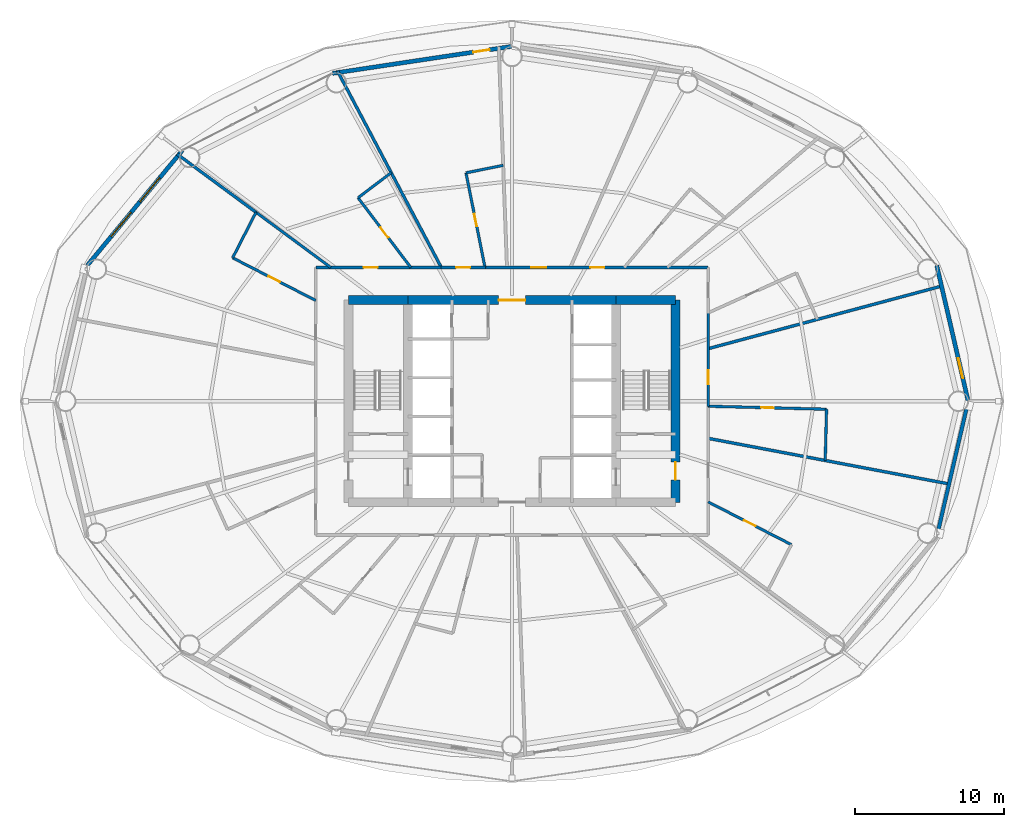
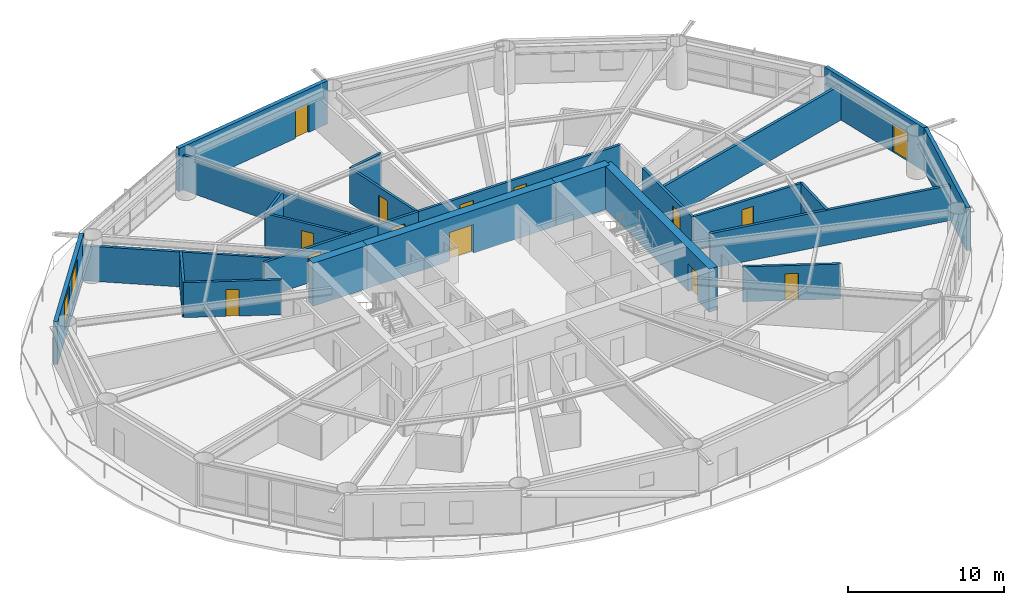
# One storey, part 22 of 26: 26 walls, 14 doors, 2 windows, 16 openings.
"""IFC4 building model written with IfcOpenShell, lengths in metres."""

from ifc_helpers import new_model, si_unit, direction, frame, frame_2d, origin, place, context, subcontext, project, spatial, rectangle, extrude, material, layer, layer_set, type_object, element, fill, save


model = new_model("IFC4")

# Units and contexts
model_context = context("Model", 3, precision=1e-05, world=origin(), true_north=direction((0.0, 1.0)))
body_context = subcontext(model_context, "Body", "Model", "MODEL_VIEW")
ifc_project = project(units=[si_unit("LENGTHUNIT", "METRE"), si_unit("AREAUNIT", "SQUARE_METRE"), si_unit("VOLUMEUNIT", "CUBIC_METRE"), si_unit("PLANEANGLEUNIT", "RADIAN"), si_unit("MASSUNIT", "GRAM", prefix="KILO")], contexts=[model_context])

# Site, building, storey
site_placement = place(None, origin())
site = spatial("IfcSite", under=ifc_project, at=site_placement, CompositionType="ELEMENT")
building_placement = place(site_placement, origin())
building = spatial("IfcBuilding", under=site, at=building_placement, Name="Sarneth Arch Tower", CompositionType="ELEMENT")
storey_placement = place(building_placement, frame((0.0, 0.0, 42.60009765625)))
storey = spatial("IfcBuildingStorey", under=building, at=storey_placement, Name="L09", CompositionType="ELEMENT", Elevation=42.60009765625)

# Wall
ifc_material_1 = material(Name="Concrete C60/75", Category="concrete")
ifc_layer_1 = layer(ifc_material_1, 0.60009765625)
ifc_layer_set_1 = layer_set([ifc_layer_1], Name="Concrete C60/75")
wall_type_1 = type_object("IfcWallType", Name="WALL-CORE-600", PredefinedType="SHEAR", material=ifc_layer_set_1)
wall_1_placement = place(storey_placement, frame((37.0, 48.800048828125, 0.0), z_axis=(0.0, 0.0, 1.0), x_axis=(1.0, 0.0, 0.0)))
element("IfcWall", 1, at=wall_1_placement, inside=storey, type_object=wall_type_1, Name="L09 Core shear wall N-W", PredefinedType="SHEAR", context=body_context, shape_type="SweptSolid", body=[
    extrude(rectangle(XDim=4.0, YDim=0.60009765625, at=frame_2d((2.0, 0.0))), origin(), (0.0, 0.0, 1.0), 3.3798828125),
])

# Wall, opening, door
wall_2_placement = place(storey_placement, frame((41.0, 48.800048828125, 0.0), z_axis=(0.0, 0.0, 1.0), x_axis=(1.0, 0.0, 0.0)))
wall_2 = element("IfcWall", 2, at=wall_2_placement, inside=storey, type_object=wall_type_1, Name="L09 Core shear wall N-M", PredefinedType="SHEAR", context=body_context, shape_type="SweptSolid", body=[
    extrude(rectangle(XDim=14.0, YDim=0.60009765625, at=frame_2d((7.0, 0.0))), origin(), (0.0, 0.0, 1.0), 3.3798828125),
])
opening_1_placement = place(wall_2_placement, frame((6.10009765625, 0.0, 0.0)))
opening_1 = element("IfcOpeningElement", 3, at=opening_1_placement, cuts=wall_2, Name="Opening FD-01", PredefinedType="OPENING", context=body_context, shape_type="SweptSolid", body=[
    extrude(rectangle(XDim=1.800048828125, YDim=2.25, at=frame_2d((0.89990234375, 1.125))), frame((0.0, 0.31005859375, 0.0), z_axis=(0.0, -1.0, 0.0), x_axis=(1.0, 0.0, 0.0)), (0.0, 0.0, 1.0), 0.6201171875),
])
ifc_material_2 = material(Name="Galvanised Steel S275 fire door set", Category="steel")
door_type_1 = type_object("IfcDoorType", Name="DR-FD90-1800", OperationType="DOUBLE_DOOR_SINGLE_SWING", PredefinedType="DOOR", material=ifc_material_2)
door_1_placement = place(opening_1_placement, origin())
door_1 = element("IfcDoor", 4, at=door_1_placement, inside=storey, type_object=door_type_1, Name="L09 Central lift lobby north door", OperationType="DOUBLE_DOOR_SINGLE_SWING", OverallHeight=2.25, OverallWidth=1.800048828125, PredefinedType="DOOR", context=body_context, shape_type="SweptSolid", body=[
    extrude(rectangle(XDim=1.800048828125, YDim=2.25, at=frame_2d((0.89990234375, 1.125))), frame((0.0, 0.02490234375, 0.0), z_axis=(0.0, -1.0, 0.0), x_axis=(1.0, 0.0, 0.0)), (0.0, 0.0, 1.0), 0.050048828125),
])
fill(opening_1, door_1)

# Wall
wall_3_placement = place(storey_placement, frame((55.0, 48.800048828125, 0.0), z_axis=(0.0, 0.0, 1.0), x_axis=(1.0, 0.0, 0.0)))
element("IfcWall", 5, at=wall_3_placement, inside=storey, type_object=wall_type_1, Name="L09 Core shear wall N-E", PredefinedType="SHEAR", context=body_context, shape_type="SweptSolid", body=[
    extrude(rectangle(XDim=4.0, YDim=0.60009765625, at=frame_2d((2.0, 0.0))), origin(), (0.0, 0.0, 1.0), 3.3798828125),
])

# Wall, opening, door
wall_4_placement = place(storey_placement, frame((59.0, 35.199951171875, 0.0), z_axis=(0.0, 0.0, 1.0), x_axis=(0.0, 1.0, 0.0)))
wall_4 = element("IfcWall", 6, at=wall_4_placement, inside=storey, type_object=wall_type_1, Name="L09 Core shear wall E", PredefinedType="SHEAR", context=body_context, shape_type="SweptSolid", body=[
    extrude(rectangle(XDim=13.60009765625, YDim=0.60009765625, at=frame_2d((6.800048828125, 0.0))), origin(), (0.0, 0.0, 1.0), 3.3798828125),
])
opening_2_placement = place(wall_4_placement, frame((1.5, 0.0, 0.0)))
opening_2 = element("IfcOpeningElement", 7, at=opening_2_placement, cuts=wall_4, Name="Opening FD-02", PredefinedType="OPENING", context=body_context, shape_type="SweptSolid", body=[
    extrude(rectangle(XDim=1.199951171875, YDim=2.14990234375, at=frame_2d((0.60009765625, 1.074951171875))), frame((0.0, 0.31005859375, 0.0), z_axis=(0.0, -1.0, 0.0), x_axis=(1.0, 0.0, 0.0)), (0.0, 0.0, 1.0), 0.6201171875),
])
ifc_material_3 = material(Name="Galvanised Steel S275 fire door set", Category="steel")
door_type_2 = type_object("IfcDoorType", Name="DR-FD90-1200", OperationType="SINGLE_SWING_LEFT", PredefinedType="DOOR", material=ifc_material_3)
door_2_placement = place(opening_2_placement, origin())
door_2 = element("IfcDoor", 8, at=door_2_placement, inside=storey, type_object=door_type_2, Name="L09 Firefighting lobby 2 exit door", OperationType="SINGLE_SWING_RIGHT", OverallHeight=2.14990234375, OverallWidth=1.199951171875, PredefinedType="DOOR", context=body_context, shape_type="SweptSolid", body=[
    extrude(rectangle(XDim=1.199951171875, YDim=2.14990234375, at=frame_2d((0.60009765625, 1.074951171875))), frame((0.0, 0.02490234375, 0.0), z_axis=(0.0, -1.0, 0.0), x_axis=(1.0, 0.0, 0.0)), (0.0, 0.0, 1.0), 0.050048828125),
])
fill(opening_2, door_2)

ifc_material_4 = material(Name="Double steel-stud corridor fire wall", Category="steel")
ifc_layer_2 = layer(ifc_material_4, 0.18994140625)
ifc_layer_set_2 = layer_set([ifc_layer_2], Name="Double steel-stud corridor fire wall")
wall_type_2 = type_object("IfcWallType", Name="WALL-CORR-190", PredefinedType="PARTITIONING", material=ifc_layer_set_2)
wall_5_placement = place(storey_placement, frame((34.800048828125, 51.0, 0.0), z_axis=(0.0, 0.0, 1.0), x_axis=(1.0, 0.0, 0.0)))
wall_5 = element("IfcWall", 9, at=wall_5_placement, inside=storey, type_object=wall_type_2, Name="L09 Interior partition W-L09-TP-009", PredefinedType="PARTITIONING", context=body_context, shape_type="SweptSolid", body=[
    extrude(rectangle(XDim=8.4794921875, YDim=0.18994140625, at=frame_2d((4.23974609375, 0.0))), origin(), (0.0, 0.0, 1.0), 2.739990234375),
])
opening_3_placement = place(wall_5_placement, frame((3.2158203125, 0.0, 0.0)))
opening_3 = element("IfcOpeningElement", 10, at=opening_3_placement, cuts=wall_5, Name="Opening FD-09", PredefinedType="OPENING", context=body_context, shape_type="SweptSolid", body=[
    extrude(rectangle(XDim=0.949951171875, YDim=2.14990234375, at=frame_2d((0.47509765625, 1.074951171875))), frame((0.0, 0.10498046875, 0.0), z_axis=(0.0, -1.0, 0.0), x_axis=(1.0, 0.0, 0.0)), (0.0, 0.0, 1.0), 0.2099609375),
])
ifc_material_5 = material(Name="Hardwood timber hotel entrance fire door", Category="wood")
door_type_3 = type_object("IfcDoorType", Name="DR-FD60-950", OperationType="SINGLE_SWING_RIGHT", PredefinedType="DOOR", material=ifc_material_5)
door_3_placement = place(opening_3_placement, origin())
door_3 = element("IfcDoor", 11, at=door_3_placement, inside=storey, type_object=door_type_3, Name="L09 Interior door DR-L09-KEY-05", OperationType="SINGLE_SWING_LEFT", OverallHeight=2.14990234375, OverallWidth=0.949951171875, PredefinedType="DOOR", context=body_context, shape_type="SweptSolid", body=[
    extrude(rectangle(XDim=0.949951171875, YDim=2.14990234375, at=frame_2d((0.47509765625, 1.074951171875))), frame((0.0, 0.02490234375, 0.0), z_axis=(0.0, -1.0, 0.0), x_axis=(1.0, 0.0, 0.0)), (0.0, 0.0, 1.0), 0.050048828125),
])
fill(opening_3, door_3)

# Wall, openings, doors
wall_6_placement = place(storey_placement, frame((46.152587890625, 51.0, 0.0), z_axis=(0.0, 0.0, 1.0), x_axis=(1.0, 0.0, 0.0)))
wall_6 = element("IfcWall", 12, at=wall_6_placement, inside=storey, type_object=wall_type_2, Name="L09 Interior partition W-L09-TP-006", PredefinedType="PARTITIONING", context=body_context, shape_type="SweptSolid", body=[
    extrude(rectangle(XDim=15.04736328125, YDim=0.18994140625, at=frame_2d((7.523681640625, 0.0))), origin(), (0.0, 0.0, 1.0), 2.739990234375),
])
opening_4_placement = place(wall_6_placement, frame((3.143798828125, 0.0, 0.0)))
opening_4 = element("IfcOpeningElement", 13, at=opening_4_placement, cuts=wall_6, Name="Opening FD-08", PredefinedType="OPENING", context=body_context, shape_type="SweptSolid", body=[
    extrude(rectangle(XDim=1.0, YDim=2.199951171875, at=frame_2d((0.5, 1.10009765625))), frame((0.0, 0.10498046875, 0.0), z_axis=(0.0, -1.0, 0.0), x_axis=(1.0, 0.0, 0.0)), (0.0, 0.0, 1.0), 0.2099609375),
])
opening_5_placement = place(wall_6_placement, frame((7.118896484375, 0.0, 0.0)))
opening_5 = element("IfcOpeningElement", 14, at=opening_5_placement, cuts=wall_6, Name="Opening FD-09", PredefinedType="OPENING", context=body_context, shape_type="SweptSolid", body=[
    extrude(rectangle(XDim=0.949951171875, YDim=2.14990234375, at=frame_2d((0.47509765625, 1.074951171875))), frame((0.0, 0.10498046875, 0.0), z_axis=(0.0, -1.0, 0.0), x_axis=(1.0, 0.0, 0.0)), (0.0, 0.0, 1.0), 0.2099609375),
])
ifc_material_6 = material(Name="Hardwood timber acoustic fire door", Category="wood")
door_type_4 = type_object("IfcDoorType", Name="DR-FD60-1000", OperationType="SINGLE_SWING_LEFT", PredefinedType="DOOR", material=ifc_material_6)
door_4_placement = place(opening_4_placement, origin())
door_4 = element("IfcDoor", 15, at=door_4_placement, inside=storey, type_object=door_type_4, Name="L09 Interior door DR-L09-AMN-03", OperationType="SINGLE_SWING_RIGHT", OverallHeight=2.199951171875, OverallWidth=1.0, PredefinedType="DOOR", context=body_context, shape_type="SweptSolid", body=[
    extrude(rectangle(XDim=1.0, YDim=2.199951171875, at=frame_2d((0.5, 1.10009765625))), frame((0.0, 0.02490234375, 0.0), z_axis=(0.0, -1.0, 0.0), x_axis=(1.0, 0.0, 0.0)), (0.0, 0.0, 1.0), 0.050048828125),
])
fill(opening_4, door_4)
door_5_placement = place(opening_5_placement, origin())
door_5 = element("IfcDoor", 16, at=door_5_placement, inside=storey, type_object=door_type_3, Name="L09 Interior door DR-L09-KEY-02", OperationType="SINGLE_SWING_RIGHT", OverallHeight=2.14990234375, OverallWidth=0.949951171875, PredefinedType="DOOR", context=body_context, shape_type="SweptSolid", body=[
    extrude(rectangle(XDim=0.949951171875, YDim=2.14990234375, at=frame_2d((0.47509765625, 1.074951171875))), frame((0.0, 0.02490234375, 0.0), z_axis=(0.0, -1.0, 0.0), x_axis=(1.0, 0.0, 0.0)), (0.0, 0.0, 1.0), 0.050048828125),
])
fill(opening_5, door_5)

# Wall, opening, door
wall_7_placement = place(storey_placement, frame((61.199951171875, 47.983154296875, 0.0), z_axis=(0.0, 0.0, 1.0), x_axis=(0.0, -1.0, 0.0)))
wall_7 = element("IfcWall", 17, at=wall_7_placement, inside=storey, type_object=wall_type_2, Name="L09 Interior partition W-L09-TP-028", PredefinedType="PARTITIONING", context=body_context, shape_type="SweptSolid", body=[
    extrude(rectangle(XDim=6.35107421875, YDim=0.18994140625, at=frame_2d((3.175537109375, 0.0))), origin(), (0.0, 0.0, 1.0), 2.739990234375),
])
opening_6_placement = place(wall_7_placement, frame((3.906982421875, 0.0, 0.0)))
opening_6 = element("IfcOpeningElement", 18, at=opening_6_placement, cuts=wall_7, Name="Opening FD-09", PredefinedType="OPENING", context=body_context, shape_type="SweptSolid", body=[
    extrude(rectangle(XDim=0.949951171875, YDim=2.14990234375, at=frame_2d((0.47509765625, 1.074951171875))), frame((0.0, 0.10498046875, 0.0), z_axis=(0.0, -1.0, 0.0), x_axis=(1.0, 0.0, 0.0)), (0.0, 0.0, 1.0), 0.2099609375),
])
door_6_placement = place(opening_6_placement, origin())
door_6 = element("IfcDoor", 19, at=door_6_placement, inside=storey, type_object=door_type_3, Name="L09 Interior door DR-L09-KEY-14", OperationType="SINGLE_SWING_RIGHT", OverallHeight=2.14990234375, OverallWidth=0.949951171875, PredefinedType="DOOR", context=body_context, shape_type="SweptSolid", body=[
    extrude(rectangle(XDim=0.949951171875, YDim=2.14990234375, at=frame_2d((0.47509765625, 1.074951171875))), frame((0.0, 0.02490234375, 0.0), z_axis=(0.0, -1.0, 0.0), x_axis=(1.0, 0.0, 0.0)), (0.0, 0.0, 1.0), 0.050048828125),
])
fill(opening_6, door_6)

wall_8_placement = place(storey_placement, frame((43.207275390625, 51.0, 0.0), z_axis=(0.0, 0.0, 1.0), x_axis=(1.0, 0.0, 0.0)))
wall_8 = element("IfcWall", 20, at=wall_8_placement, inside=storey, type_object=wall_type_2, Name="L09 Interior partition W-L09-TP-007", PredefinedType="PARTITIONING", context=body_context, shape_type="SweptSolid", body=[
    extrude(rectangle(XDim=3.0107421875, YDim=0.18994140625, at=frame_2d((1.50537109375, 0.0))), origin(), (0.0, 0.0, 1.0), 2.739990234375),
])
opening_7_placement = place(wall_8_placement, frame((1.0302734375, 0.0, 0.0)))
opening_7 = element("IfcOpeningElement", 21, at=opening_7_placement, cuts=wall_8, Name="Opening FD-09", PredefinedType="OPENING", context=body_context, shape_type="SweptSolid", body=[
    extrude(rectangle(XDim=0.949951171875, YDim=2.14990234375, at=frame_2d((0.47509765625, 1.074951171875))), frame((0.0, 0.10498046875, 0.0), z_axis=(0.0, -1.0, 0.0), x_axis=(1.0, 0.0, 0.0)), (0.0, 0.0, 1.0), 0.2099609375),
])
door_7_placement = place(opening_7_placement, origin())
door_7 = element("IfcDoor", 22, at=door_7_placement, inside=storey, type_object=door_type_3, Name="L09 Interior door DR-L09-KEY-04", OperationType="SINGLE_SWING_LEFT", OverallHeight=2.14990234375, OverallWidth=0.949951171875, PredefinedType="DOOR", context=body_context, shape_type="SweptSolid", body=[
    extrude(rectangle(XDim=0.949951171875, YDim=2.14990234375, at=frame_2d((0.47509765625, 1.074951171875))), frame((0.0, 0.02490234375, 0.0), z_axis=(0.0, -1.0, 0.0), x_axis=(1.0, 0.0, 0.0)), (0.0, 0.0, 1.0), 0.050048828125),
])
fill(opening_7, door_7)

# Wall
ifc_material_7 = material(Name="Extruded terracotta rainscreen on Concrete C40/50 backing", Category="masonry")
ifc_layer_3 = layer(ifc_material_7, 0.25)
ifc_layer_set_3 = layer_set([ifc_layer_3], Name="Extruded terracotta rainscreen on Concrete C40/50 backing")
wall_type_3 = type_object("IfcWallType", Name="WALL-EXT-SPAND-250", PredefinedType="SOLIDWALL", material=ifc_layer_set_3)
wall_9_placement = place(storey_placement, frame((76.5810546875, 32.861572265625, 0.0), z_axis=(0.0, 0.0, 1.0), x_axis=(0.225454452941, 0.974253709076, 0.0)))
element("IfcWall", 23, at=wall_9_placement, inside=storey, type_object=wall_type_3, Name="L09 Terracotta perimeter wall 16", PredefinedType="SOLIDWALL", context=body_context, shape_type="SweptSolid", body=[
    extrude(rectangle(XDim=9.3798828125, YDim=0.25, at=frame_2d((4.68994140625, 0.0))), origin(), (0.0, 0.0, 1.0), 3.3798828125),
])

# Wall, opening, door
ifc_material_8 = material(Name="Extruded terracotta rainscreen on Concrete C40/50 backing", Category="masonry")
ifc_layer_4 = layer(ifc_material_8, 0.280029296875)
ifc_layer_set_4 = layer_set([ifc_layer_4], Name="Extruded terracotta rainscreen on Concrete C40/50 backing")
wall_type_4 = type_object("IfcWallType", Name="WALL-EXT-TERRA-280", PredefinedType="SOLIDWALL", material=ifc_layer_set_4)
wall_10_placement = place(storey_placement, frame((78.69580078125, 42.0, 0.0), z_axis=(0.0, 0.0, 1.0), x_axis=(-0.225454452941, 0.974253709076, 0.0)))
wall_10 = element("IfcWall", 24, at=wall_10_placement, inside=storey, type_object=wall_type_4, Name="L09 Terracotta perimeter wall 01", PredefinedType="SOLIDWALL", context=body_context, shape_type="SweptSolid", body=[
    extrude(rectangle(XDim=9.3798828125, YDim=0.280029296875, at=frame_2d((4.68994140625, 0.0))), origin(), (0.0, 0.0, 1.0), 3.3798828125),
])
opening_8_placement = place(wall_10_placement, frame((1.5791015625, 0.0, 0.0)))
opening_8 = element("IfcOpeningElement", 25, at=opening_8_placement, cuts=wall_10, Name="Opening BD-2", PredefinedType="OPENING", context=body_context, shape_type="SweptSolid", body=[
    extrude(rectangle(XDim=1.39990234375, YDim=2.199951171875, at=frame_2d((0.699951171875, 1.10009765625))), frame((0.0, 0.14990234375, 0.0), z_axis=(0.0, -1.0, 0.0), x_axis=(1.0, 0.0, 0.0)), (0.0, 0.0, 1.0), 0.300048828125),
])
ifc_material_9 = material(Name="Thermally broken Aluminium 6063-T6 and laminated safety glass", Category="aluminium")
door_type_5 = type_object("IfcDoorType", Name="DR-BALC-GLZ-1400", OperationType="SINGLE_SWING_LEFT", PredefinedType="DOOR", material=ifc_material_9)
door_8_placement = place(opening_8_placement, origin())
door_8 = element("IfcDoor", 26, at=door_8_placement, inside=storey, type_object=door_type_5, Name="L09 Balcony glazed door 01", OperationType="SINGLE_SWING_LEFT", OverallHeight=2.199951171875, OverallWidth=1.39990234375, PredefinedType="DOOR", context=body_context, shape_type="SweptSolid", body=[
    extrude(rectangle(XDim=1.39990234375, YDim=2.199951171875, at=frame_2d((0.699951171875, 1.10009765625))), frame((0.0, 0.02490234375, 0.0), z_axis=(0.0, -1.0, 0.0), x_axis=(1.0, 0.0, 0.0)), (0.0, 0.0, 1.0), 0.050048828125),
])
fill(opening_8, door_8)

wall_11_placement = place(storey_placement, frame((48.0, 65.8798828125, 0.0), z_axis=(0.0, 0.0, 1.0), x_axis=(-0.988864835849, -0.148816452121, 0.0)))
wall_11 = element("IfcWall", 27, at=wall_11_placement, inside=storey, type_object=wall_type_4, Name="L09 Terracotta perimeter wall 05", PredefinedType="SOLIDWALL", context=body_context, shape_type="SweptSolid", body=[
    extrude(rectangle(XDim=12.2138671875, YDim=0.280029296875, at=frame_2d((6.10693359375, 0.0))), origin(), (0.0, 0.0, 1.0), 3.3798828125),
])
opening_9_placement = place(wall_11_placement, frame((1.53125, 0.0, 0.0)))
opening_9 = element("IfcOpeningElement", 28, at=opening_9_placement, cuts=wall_11, Name="Opening BD-3", PredefinedType="OPENING", context=body_context, shape_type="SweptSolid", body=[
    extrude(rectangle(XDim=1.10009765625, YDim=2.25, at=frame_2d((0.550048828125, 1.125))), frame((0.0, 0.14990234375, 0.0), z_axis=(0.0, -1.0, 0.0), x_axis=(1.0, 0.0, 0.0)), (0.0, 0.0, 1.0), 0.300048828125),
])
ifc_material_10 = material(Name="Thermally broken Aluminium 6063-T6 and laminated safety glass", Category="aluminium")
door_type_6 = type_object("IfcDoorType", Name="DR-BALC-GLZ-1100", OperationType="SINGLE_SWING_LEFT", PredefinedType="DOOR", material=ifc_material_10)
door_9_placement = place(opening_9_placement, origin())
door_9 = element("IfcDoor", 29, at=door_9_placement, inside=storey, type_object=door_type_6, Name="L09 Balcony glazed door 05", OperationType="SINGLE_SWING_LEFT", OverallHeight=2.25, OverallWidth=1.10009765625, PredefinedType="DOOR", context=body_context, shape_type="SweptSolid", body=[
    extrude(rectangle(XDim=1.10009765625, YDim=2.25, at=frame_2d((0.550048828125, 1.125))), frame((0.0, 0.02490234375, 0.0), z_axis=(0.0, -1.0, 0.0), x_axis=(1.0, 0.0, 0.0)), (0.0, 0.0, 1.0), 0.050048828125),
])
fill(opening_9, door_9)

# Wall, openings, windows
wall_12_placement = place(storey_placement, frame((25.825927734375, 58.8857421875, 0.0), z_axis=(0.0, 0.0, 1.0), x_axis=(-0.637296809613, -0.770618437657, 0.0)))
wall_12 = element("IfcWall", 30, at=wall_12_placement, inside=storey, type_object=wall_type_4, Name="L09 Terracotta perimeter wall 07", PredefinedType="SOLIDWALL", context=body_context, shape_type="SweptSolid", body=[
    extrude(rectangle(XDim=10.053466796875, YDim=0.280029296875, at=frame_2d((5.02685546875, 0.0))), origin(), (0.0, 0.0, 1.0), 3.3798828125),
])
opening_10_placement = place(wall_12_placement, frame((2.39794921875, 0.0, 0.85009765625)))
opening_10 = element("IfcOpeningElement", 31, at=opening_10_placement, cuts=wall_12, Name="Opening W-03", PredefinedType="OPENING", context=body_context, shape_type="SweptSolid", body=[
    extrude(rectangle(XDim=2.10009765625, YDim=2.199951171875, at=frame_2d((1.050048828125, 1.10009765625))), frame((0.0, 0.14990234375, 0.0), z_axis=(0.0, -1.0, 0.0), x_axis=(1.0, 0.0, 0.0)), (0.0, 0.0, 1.0), 0.300048828125),
])
opening_11_placement = place(wall_12_placement, frame((5.4296875, 0.0, 0.85009765625)))
opening_11 = element("IfcOpeningElement", 32, at=opening_11_placement, cuts=wall_12, Name="Opening W-03", PredefinedType="OPENING", context=body_context, shape_type="SweptSolid", body=[
    extrude(rectangle(XDim=2.10009765625, YDim=2.199951171875, at=frame_2d((1.050048828125, 1.10009765625))), frame((0.0, 0.14990234375, 0.0), z_axis=(0.0, -1.0, 0.0), x_axis=(1.0, 0.0, 0.0)), (0.0, 0.0, 1.0), 0.300048828125),
])
ifc_material_11 = material(Name="Thermally broken Aluminium 6063-T6 and low-e laminated IGU", Category="aluminium")
window_type = type_object("IfcWindowType", Name="WIN-TWR-2100x2200", PartitioningType="DOUBLE_PANEL_VERTICAL", PredefinedType="WINDOW", material=ifc_material_11)
window_1_placement = place(opening_10_placement, origin())
window_1 = element("IfcWindow", 33, at=window_1_placement, inside=storey, type_object=window_type, Name="L09 Exterior window 07A", OverallHeight=2.199951171875, OverallWidth=2.10009765625, PartitioningType="SINGLE_PANEL", PredefinedType="WINDOW", context=body_context, shape_type="SweptSolid", body=[
    extrude(rectangle(XDim=2.10009765625, YDim=2.199951171875, at=frame_2d((1.050048828125, 1.10009765625))), frame((0.0, 0.030029296875, 0.0), z_axis=(0.0, -1.0, 0.0), x_axis=(1.0, 0.0, 0.0)), (0.0, 0.0, 1.0), 0.06005859375),
])
fill(opening_10, window_1)
window_2_placement = place(opening_11_placement, origin())
window_2 = element("IfcWindow", 34, at=window_2_placement, inside=storey, type_object=window_type, Name="L09 Exterior window 07B", OverallHeight=2.199951171875, OverallWidth=2.10009765625, PartitioningType="SINGLE_PANEL", PredefinedType="WINDOW", context=body_context, shape_type="SweptSolid", body=[
    extrude(rectangle(XDim=2.10009765625, YDim=2.199951171875, at=frame_2d((1.050048828125, 1.10009765625))), frame((0.0, 0.030029296875, 0.0), z_axis=(0.0, -1.0, 0.0), x_axis=(1.0, 0.0, 0.0)), (0.0, 0.0, 1.0), 0.06005859375),
])
fill(opening_11, window_2)

# Wall, opening, door
ifc_material_12 = material(Name="Moisture-resistant plumbing chase wall", Category="gypsum")
ifc_layer_5 = layer(ifc_material_12, 0.179931640625)
ifc_layer_set_5 = layer_set([ifc_layer_5], Name="Moisture-resistant plumbing chase wall")
wall_type_5 = type_object("IfcWallType", Name="WALL-PLUMB-180", PredefinedType="PLUMBINGWALL", material=ifc_layer_set_5)
wall_13_placement = place(storey_placement, frame((69.165283203125, 41.461669921875, 0.0), z_axis=(0.0, 0.0, 1.0), x_axis=(-0.999676564425, 0.025431605115, 0.0)))
wall_13 = element("IfcWall", 35, at=wall_13_placement, inside=storey, type_object=wall_type_5, Name="L09 Interior partition W-L09-TP-076", PredefinedType="PLUMBINGWALL", context=body_context, shape_type="SweptSolid", body=[
    extrude(rectangle(XDim=7.968017578125, YDim=0.179931640625, at=frame_2d((3.98388671875, 0.0))), origin(), (0.0, 0.0, 1.0), 2.739990234375),
])
opening_12_placement = place(wall_13_placement, frame((3.55908203125, 0.0, 0.0)))
opening_12 = element("IfcOpeningElement", 36, at=opening_12_placement, cuts=wall_13, Name="Opening ID-02", PredefinedType="OPENING", context=body_context, shape_type="SweptSolid", body=[
    extrude(rectangle(XDim=0.85009765625, YDim=2.10009765625, at=frame_2d((0.425048828125, 1.050048828125))), frame((0.0, 0.099853515625, 0.0), z_axis=(0.0, -1.0, 0.0), x_axis=(1.0, 0.0, 0.0)), (0.0, 0.0, 1.0), 0.199951171875),
])
ifc_material_13 = material(Name="Moisture-resistant bathroom timber door", Category="wood")
door_type_7 = type_object("IfcDoorType", Name="DR-INT-850", OperationType="SINGLE_SWING_RIGHT", PredefinedType="DOOR", material=ifc_material_13)
door_10_placement = place(opening_12_placement, origin())
door_10 = element("IfcDoor", 37, at=door_10_placement, inside=storey, type_object=door_type_7, Name="L09 Interior door DR-L09-ENS-14", OperationType="SINGLE_SWING_LEFT", OverallHeight=2.10009765625, OverallWidth=0.85009765625, PredefinedType="DOOR", context=body_context, shape_type="SweptSolid", body=[
    extrude(rectangle(XDim=0.85009765625, YDim=2.10009765625, at=frame_2d((0.425048828125, 1.050048828125))), frame((0.0, 0.02490234375, 0.0), z_axis=(0.0, -1.0, 0.0), x_axis=(1.0, 0.0, 0.0)), (0.0, 0.0, 1.0), 0.050048828125),
])
fill(opening_12, door_10)

wall_14_placement = place(storey_placement, frame((44.901611328125, 57.36669921875, 0.0), z_axis=(0.0, 0.0, 1.0), x_axis=(0.197648412503, -0.980272974755, 0.0)))
wall_14 = element("IfcWall", 38, at=wall_14_placement, inside=storey, type_object=wall_type_5, Name="L09 Interior partition W-L09-TP-042", PredefinedType="PLUMBINGWALL", context=body_context, shape_type="SweptSolid", body=[
    extrude(rectangle(XDim=6.494873046875, YDim=0.179931640625, at=frame_2d((3.24755859375, 0.0))), origin(), (0.0, 0.0, 1.0), 2.739990234375),
])
opening_13_placement = place(wall_14_placement, frame((2.822509765625, 0.0, 0.0)))
opening_13 = element("IfcOpeningElement", 39, at=opening_13_placement, cuts=wall_14, Name="Opening ID-02", PredefinedType="OPENING", context=body_context, shape_type="SweptSolid", body=[
    extrude(rectangle(XDim=0.85009765625, YDim=2.10009765625, at=frame_2d((0.425048828125, 1.050048828125))), frame((0.0, 0.099853515625, 0.0), z_axis=(0.0, -1.0, 0.0), x_axis=(1.0, 0.0, 0.0)), (0.0, 0.0, 1.0), 0.199951171875),
])
door_11_placement = place(opening_13_placement, origin())
door_11 = element("IfcDoor", 40, at=door_11_placement, inside=storey, type_object=door_type_7, Name="L09 Interior door DR-L09-ENS-04", OperationType="SINGLE_SWING_LEFT", OverallHeight=2.10009765625, OverallWidth=0.85009765625, PredefinedType="DOOR", context=body_context, shape_type="SweptSolid", body=[
    extrude(rectangle(XDim=0.85009765625, YDim=2.10009765625, at=frame_2d((0.425048828125, 1.050048828125))), frame((0.0, 0.02490234375, 0.0), z_axis=(0.0, -1.0, 0.0), x_axis=(1.0, 0.0, 0.0)), (0.0, 0.0, 1.0), 0.050048828125),
])
fill(opening_13, door_11)

wall_15_placement = place(storey_placement, frame((34.800048828125, 48.775634765625, 0.0), z_axis=(0.0, 0.0, 1.0), x_axis=(-0.889651376734, 0.456640370395, 0.0)))
wall_15 = element("IfcWall", 41, at=wall_15_placement, inside=storey, type_object=wall_type_5, Name="L09 Interior partition W-L09-TP-049", PredefinedType="PLUMBINGWALL", context=body_context, shape_type="SweptSolid", body=[
    extrude(rectangle(XDim=6.292236328125, YDim=0.179931640625, at=frame_2d((3.14599609375, 0.0))), origin(), (0.0, 0.0, 1.0), 2.739990234375),
])
opening_14_placement = place(wall_15_placement, frame((2.72119140625, 0.0, 0.0)))
opening_14 = element("IfcOpeningElement", 42, at=opening_14_placement, cuts=wall_15, Name="Opening ID-02", PredefinedType="OPENING", context=body_context, shape_type="SweptSolid", body=[
    extrude(rectangle(XDim=0.85009765625, YDim=2.10009765625, at=frame_2d((0.425048828125, 1.050048828125))), frame((0.0, 0.099853515625, 0.0), z_axis=(0.0, -1.0, 0.0), x_axis=(1.0, 0.0, 0.0)), (0.0, 0.0, 1.0), 0.199951171875),
])
door_12_placement = place(opening_14_placement, origin())
door_12 = element("IfcDoor", 43, at=door_12_placement, inside=storey, type_object=door_type_7, Name="L09 Interior door DR-L09-ENS-06", OperationType="SINGLE_SWING_LEFT", OverallHeight=2.10009765625, OverallWidth=0.85009765625, PredefinedType="DOOR", context=body_context, shape_type="SweptSolid", body=[
    extrude(rectangle(XDim=0.85009765625, YDim=2.10009765625, at=frame_2d((0.425048828125, 1.050048828125))), frame((0.0, 0.02490234375, 0.0), z_axis=(0.0, -1.0, 0.0), x_axis=(1.0, 0.0, 0.0)), (0.0, 0.0, 1.0), 0.050048828125),
])
fill(opening_14, door_12)

wall_16_placement = place(storey_placement, frame((61.199951171875, 35.224365234375, 0.0), z_axis=(0.0, 0.0, 1.0), x_axis=(0.889651376734, -0.456640370395, 0.0)))
wall_16 = element("IfcWall", 44, at=wall_16_placement, inside=storey, type_object=wall_type_5, Name="L09 Interior partition W-L09-TP-071", PredefinedType="PLUMBINGWALL", context=body_context, shape_type="SweptSolid", body=[
    extrude(rectangle(XDim=6.292236328125, YDim=0.179931640625, at=frame_2d((3.14599609375, 0.0))), origin(), (0.0, 0.0, 1.0), 2.739990234375),
])
opening_15_placement = place(wall_16_placement, frame((2.72119140625, 0.0, 0.0)))
opening_15 = element("IfcOpeningElement", 45, at=opening_15_placement, cuts=wall_16, Name="Opening ID-02", PredefinedType="OPENING", context=body_context, shape_type="SweptSolid", body=[
    extrude(rectangle(XDim=0.85009765625, YDim=2.10009765625, at=frame_2d((0.425048828125, 1.050048828125))), frame((0.0, 0.099853515625, 0.0), z_axis=(0.0, -1.0, 0.0), x_axis=(1.0, 0.0, 0.0)), (0.0, 0.0, 1.0), 0.199951171875),
])
door_13_placement = place(opening_15_placement, origin())
door_13 = element("IfcDoor", 46, at=door_13_placement, inside=storey, type_object=door_type_7, Name="L09 Interior door DR-L09-ENS-13", OperationType="SINGLE_SWING_LEFT", OverallHeight=2.10009765625, OverallWidth=0.85009765625, PredefinedType="DOOR", context=body_context, shape_type="SweptSolid", body=[
    extrude(rectangle(XDim=0.85009765625, YDim=2.10009765625, at=frame_2d((0.425048828125, 1.050048828125))), frame((0.0, 0.02490234375, 0.0), z_axis=(0.0, -1.0, 0.0), x_axis=(1.0, 0.0, 0.0)), (0.0, 0.0, 1.0), 0.050048828125),
])
fill(opening_15, door_13)

# Wall
wall_17_placement = place(storey_placement, frame((30.77490234375, 54.712890625, 0.0), z_axis=(0.0, 0.0, 1.0), x_axis=(0.804582519588, -0.593840861825, 0.0)))
element("IfcWall", 47, at=wall_17_placement, inside=storey, type_object=wall_type_5, Name="L09 Interior partition W-L09-TP-048", PredefinedType="PLUMBINGWALL", context=body_context, shape_type="SweptSolid", body=[
    extrude(rectangle(XDim=6.25244140625, YDim=0.179931640625, at=frame_2d((3.126220703125, 0.0))), origin(), (0.0, 0.0, 1.0), 2.739990234375),
])

# Wall, opening, door
wall_18_placement = place(storey_placement, frame((37.640380859375, 55.690673828125, 0.0), z_axis=(0.0, 0.0, 1.0), x_axis=(0.603401299207, -0.797437691682, 0.0)))
wall_18 = element("IfcWall", 48, at=wall_18_placement, inside=storey, type_object=wall_type_5, Name="L09 Interior partition W-L09-TP-046", PredefinedType="PLUMBINGWALL", context=body_context, shape_type="SweptSolid", body=[
    extrude(rectangle(XDim=5.882080078125, YDim=0.179931640625, at=frame_2d((2.94091796875, 0.0))), origin(), (0.0, 0.0, 1.0), 2.739990234375),
])
opening_16_placement = place(wall_18_placement, frame((2.51611328125, 0.0, 0.0)))
opening_16 = element("IfcOpeningElement", 49, at=opening_16_placement, cuts=wall_18, Name="Opening ID-02", PredefinedType="OPENING", context=body_context, shape_type="SweptSolid", body=[
    extrude(rectangle(XDim=0.85009765625, YDim=2.10009765625, at=frame_2d((0.425048828125, 1.050048828125))), frame((0.0, 0.099853515625, 0.0), z_axis=(0.0, -1.0, 0.0), x_axis=(1.0, 0.0, 0.0)), (0.0, 0.0, 1.0), 0.199951171875),
])
door_14_placement = place(opening_16_placement, origin())
door_14 = element("IfcDoor", 50, at=door_14_placement, inside=storey, type_object=door_type_7, Name="L09 Interior door DR-L09-ENS-05", OperationType="SINGLE_SWING_LEFT", OverallHeight=2.10009765625, OverallWidth=0.85009765625, PredefinedType="DOOR", context=body_context, shape_type="SweptSolid", body=[
    extrude(rectangle(XDim=0.85009765625, YDim=2.10009765625, at=frame_2d((0.425048828125, 1.050048828125))), frame((0.0, 0.02490234375, 0.0), z_axis=(0.0, -1.0, 0.0), x_axis=(1.0, 0.0, 0.0)), (0.0, 0.0, 1.0), 0.050048828125),
])
fill(opening_16, door_14)

# Walls
wall_19_placement = place(storey_placement, frame((69.07763671875, 38.011962890625, 0.0), z_axis=(0.0, 0.0, 1.0), x_axis=(0.02539873932, 0.999677399985, 0.0)))
element("IfcWall", 51, at=wall_19_placement, inside=storey, type_object=wall_type_5, Name="L09 Interior partition W-L09-TP-075", PredefinedType="PLUMBINGWALL", context=body_context, shape_type="SweptSolid", body=[
    extrude(rectangle(XDim=3.450927734375, YDim=0.179931640625, at=frame_2d((1.7255859375, 0.0))), origin(), (0.0, 0.0, 1.0), 2.739990234375),
])
wall_20_placement = place(storey_placement, frame((29.2021484375, 51.64892578125, 0.0), z_axis=(0.0, 0.0, 1.0), x_axis=(0.456659133546, 0.889641745732, 0.0)))
element("IfcWall", 52, at=wall_20_placement, inside=storey, type_object=wall_type_5, Name="L09 Interior partition W-L09-TP-050", PredefinedType="PLUMBINGWALL", context=body_context, shape_type="SweptSolid", body=[
    extrude(rectangle(XDim=3.444091796875, YDim=0.179931640625, at=frame_2d((1.72216796875, 0.0))), origin(), (0.0, 0.0, 1.0), 2.739990234375),
])
wall_21_placement = place(storey_placement, frame((39.871826171875, 57.379150390625, 0.0), z_axis=(0.0, 0.0, 1.0), x_axis=(-0.797438154909, -0.603400687019, 0.0)))
element("IfcWall", 53, at=wall_21_placement, inside=storey, type_object=wall_type_5, Name="L09 Interior partition W-L09-TP-045", PredefinedType="PLUMBINGWALL", context=body_context, shape_type="SweptSolid", body=[
    extrude(rectangle(XDim=2.79833984375, YDim=0.179931640625, at=frame_2d((1.399169921875, 0.0))), origin(), (0.0, 0.0, 1.0), 2.739990234375),
])
wall_22_placement = place(storey_placement, frame((47.406005859375, 57.87158203125, 0.0), z_axis=(0.0, 0.0, 1.0), x_axis=(-0.980278128955, -0.1976228476, 0.0)))
element("IfcWall", 54, at=wall_22_placement, inside=storey, type_object=wall_type_5, Name="L09 Interior partition W-L09-TP-041", PredefinedType="PLUMBINGWALL", context=body_context, shape_type="SweptSolid", body=[
    extrude(rectangle(XDim=2.5546875, YDim=0.179931640625, at=frame_2d((1.27734375, 0.0))), origin(), (0.0, 0.0, 1.0), 2.739990234375),
])
ifc_material_14 = material(Name="Double steel-stud acoustic drywall", Category="steel")
ifc_layer_6 = layer(ifc_material_14, 0.199951171875)
ifc_layer_set_6 = layer_set([ifc_layer_6], Name="Double steel-stud acoustic drywall")
wall_type_6 = type_object("IfcWallType", Name="WALL-UNIT-200", PredefinedType="PARTITIONING", material=ifc_layer_set_6)
wall_23_placement = place(storey_placement, frame((61.199951171875, 45.536865234375, 0.0), z_axis=(0.0, 0.0, 1.0), x_axis=(0.965922233104, 0.258832454679, 0.0)))
element("IfcWall", 55, at=wall_23_placement, inside=storey, type_object=wall_type_6, Name="L09 Interior partition W-L09-TP-034", PredefinedType="PARTITIONING", context=body_context, shape_type="SweptSolid", body=[
    extrude(rectangle(XDim=16.37744140625, YDim=0.199951171875, at=frame_2d((8.188720703125, 0.0))), origin(), (0.0, 0.0, 1.0), 2.739990234375),
])
wall_24_placement = place(storey_placement, frame((61.199951171875, 39.50244140625, 0.0), z_axis=(0.0, 0.0, 1.0), x_axis=(0.982565603173, -0.185916205484, 0.0)))
element("IfcWall", 56, at=wall_24_placement, inside=storey, type_object=wall_type_6, Name="L09 Interior partition W-L09-TP-073", PredefinedType="PARTITIONING", context=body_context, shape_type="SweptSolid", body=[
    extrude(rectangle(XDim=16.61572265625, YDim=0.199951171875, at=frame_2d((8.307861328125, 0.0))), origin(), (0.0, 0.0, 1.0), 2.739990234375),
])
wall_25_placement = place(storey_placement, frame((43.243408203125, 51.0, 0.0), z_axis=(0.0, 0.0, 1.0), x_axis=(-0.467270516294, 0.884114395654, 0.0)))
element("IfcWall", 57, at=wall_25_placement, inside=storey, type_object=wall_type_6, Name="L09 Interior partition W-L09-TP-043", PredefinedType="PARTITIONING", context=body_context, shape_type="SweptSolid", body=[
    extrude(rectangle(XDim=14.960205078125, YDim=0.199951171875, at=frame_2d((7.47998046875, 0.0))), origin(), (0.0, 0.0, 1.0), 2.739990234375),
])
wall_26_placement = place(storey_placement, frame((25.4619140625, 58.6337890625, 0.0), z_axis=(0.0, 0.0, 1.0), x_axis=(0.804616980297, -0.593794168898, 0.0)))
element("IfcWall", 58, at=wall_26_placement, inside=storey, type_object=wall_type_6, Name="L09 Interior partition W-L09-TP-047", PredefinedType="PARTITIONING", context=body_context, shape_type="SweptSolid", body=[
    extrude(rectangle(XDim=6.60302734375, YDim=0.199951171875, at=frame_2d((3.301513671875, 0.0))), origin(), (0.0, 0.0, 1.0), 2.739990234375),
])

save(model, "model.ifc")
